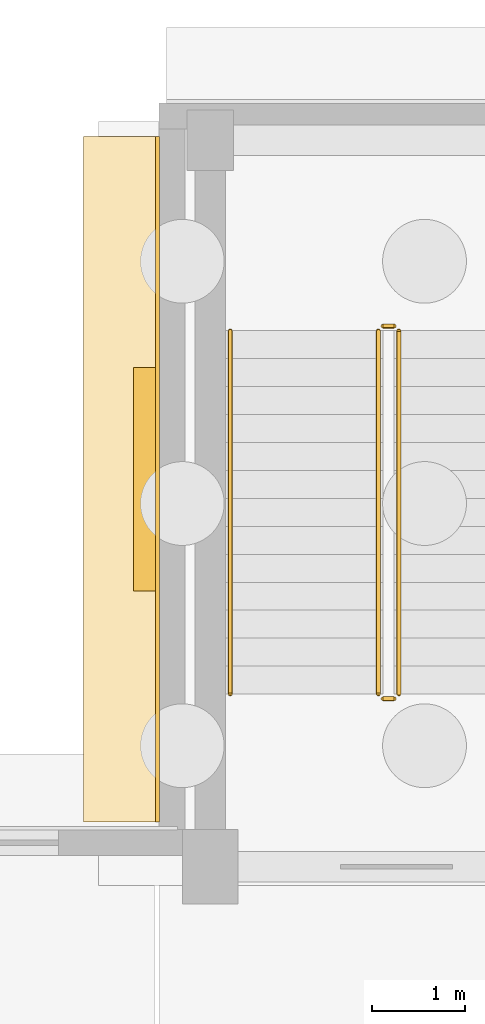
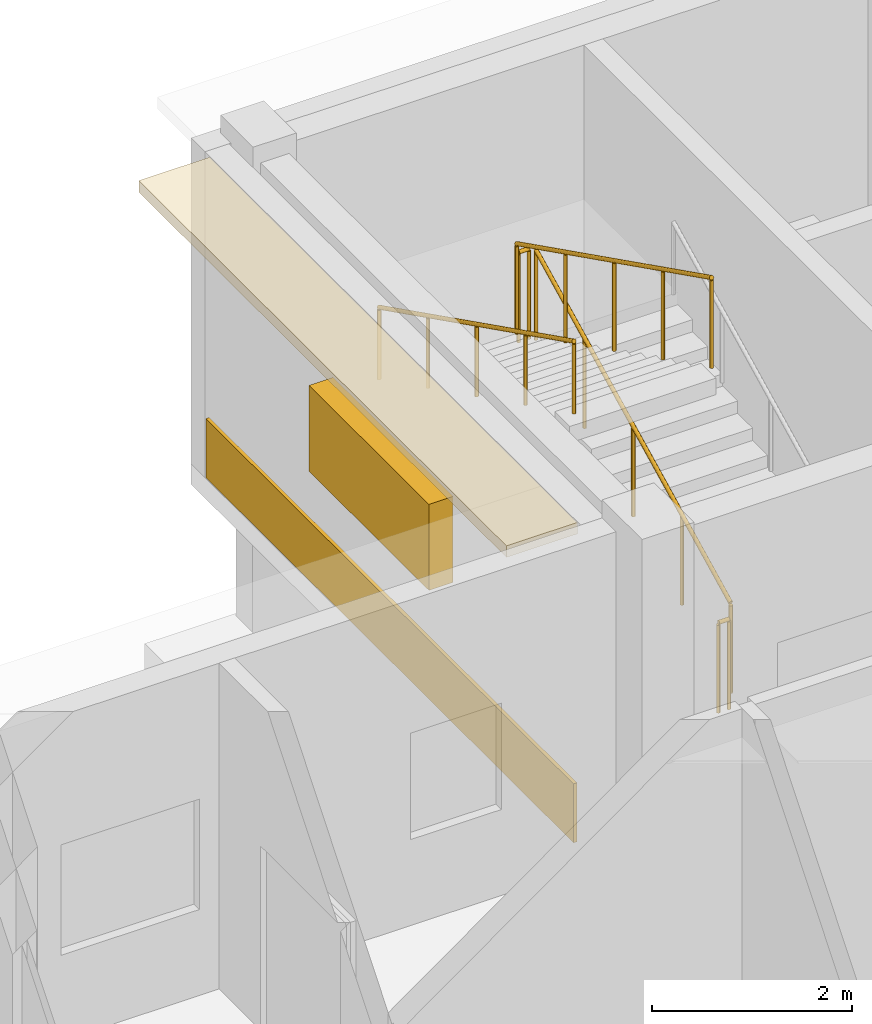
# One storey, part 89 of 93: 5 railings, 2 coverings, 1 shading device.
"""IFC4 building model written with IfcOpenShell, lengths in metres."""

from ifc_helpers import new_model, si_unit, direction, frame, origin, origin_2d, place, context, subcontext, project, spatial, rectangle, circle, extrude, material, layer, layer_set, type_object, element, save


model = new_model("IFC4")

# Units and contexts
model_context = context("Model", 3, precision=1e-05, world=origin(), true_north=direction((0.0, 1.0)))
body_context = subcontext(model_context, "Body", "Model", "MODEL_VIEW")
ifc_project = project(units=[si_unit("LENGTHUNIT", "METRE"), si_unit("AREAUNIT", "SQUARE_METRE"), si_unit("VOLUMEUNIT", "CUBIC_METRE"), si_unit("PLANEANGLEUNIT", "RADIAN"), si_unit("MASSUNIT", "GRAM", prefix="KILO")], contexts=[model_context])

# Site, building, storey
site_placement = place(None, origin())
site = spatial("IfcSite", under=ifc_project, at=site_placement, CompositionType="ELEMENT")
building_placement = place(site_placement, origin())
building = spatial("IfcBuilding", under=site, at=building_placement, Name="Kelanivale Promenade Academy", CompositionType="ELEMENT")
storey_placement = place(building_placement, origin())
storey = spatial("IfcBuildingStorey", under=building, at=storey_placement, Name="L00", CompositionType="ELEMENT", Elevation=0.0)

# Coverings
ifc_material_1 = material(Name="Warm ivory Art Deco stucco frieze band 40 mm", Category="masonry")
ifc_layer_1 = layer(ifc_material_1, 0.0400390625)
ifc_layer_set_1 = layer_set([ifc_layer_1], Name="Warm ivory Art Deco stucco frieze band 40 mm")
covering_type = type_object("IfcCoveringType", Name="COV-CLD2 Warm ivory Art Deco stucco frieze ba", PredefinedType="CLADDING", material=ifc_layer_set_1)
covering_1_placement = place(storey_placement, frame((122.449951171875, 107.9599609375, 3.81982421875), z_axis=(0.0, 0.0, 1.0), x_axis=(0.0, -1.0, 0.0)))
element("IfcCovering", 1, at=covering_1_placement, inside=storey, type_object=covering_type, Name="Art Deco projecting 820 mm streamline sunshade eyebrow ledge", PredefinedType="CLADDING", context=body_context, shape_type="SweptSolid", body=[
    extrude(rectangle(XDim=7.360107421875, YDim=0.820068359375, at=origin_2d()), origin(), (0.0, 0.0, 1.0), 0.139892578125),
])
covering_2_placement = place(storey_placement, frame((122.8349609375, 107.9599609375, 0.06005859375), z_axis=(0.0, 0.0, 1.0), x_axis=(0.0, -1.0, 0.0)))
element("IfcCovering", 2, at=covering_2_placement, inside=storey, type_object=covering_type, Name="Art Deco ivory stucco sill frieze band", PredefinedType="CLADDING", context=body_context, shape_type="SweptSolid", body=[
    extrude(rectangle(XDim=7.360107421875, YDim=0.0400390625, at=origin_2d()), origin(), (0.0, 0.0, 1.0), 0.719970703125),
])

# Railings
ifc_material_2 = material(Name="Brushed stainless steel grade 316", Category="steel")
railing_type_1 = type_object("IfcRailingType", Name="GR-01 Stair Guard 1100mm", PredefinedType="BALUSTRADE", material=ifc_material_2)
railing_1_placement = place(storey_placement, frame((125.425048828125, 105.655029296875, 0.14990234375)))
element("IfcRailing", 3, at=railing_1_placement, inside=storey, type_object=railing_type_1, Name="L00 ST-05 stair guard 1", PredefinedType="BALUSTRADE", context=body_context, shape_type="SweptSolid", body=[
    extrude(circle(Radius=0.02392578125, at=origin_2d()), frame((0.0, 0.0, 1.09619140625), z_axis=(0.0, 0.894404793364, 0.447258387967), x_axis=(-1.0, 0.0, 0.0)), (0.0, 0.0, 1.0), 4.3603515625),
    extrude(circle(Radius=0.02099609375, at=origin_2d()), origin(), (0.0, 0.0, 1.0), 1.072021484375),
    extrude(circle(Radius=0.02099609375, at=origin_2d()), frame((0.0, 0.97509765625, 0.487548828125)), (0.0, 0.0, 1.0), 1.072021484375),
    extrude(circle(Radius=0.02099609375, at=origin_2d()), frame((0.0, 1.949951171875, 0.97509765625)), (0.0, 0.0, 1.0), 1.072021484375),
    extrude(circle(Radius=0.02099609375, at=origin_2d()), frame((0.0, 2.9248046875, 1.462646484375)), (0.0, 0.0, 1.0), 1.072021484375),
    extrude(circle(Radius=0.02099609375, at=origin_2d()), frame((0.0, 3.89990234375, 1.9501953125)), (0.0, 0.0, 1.0), 1.072021484375),
])
railing_2_placement = place(storey_placement, frame((125.375, 109.60498046875, 2.10009765625)))
element("IfcRailing", 4, at=railing_2_placement, inside=storey, type_object=railing_type_1, Name="L00 ST-05 stair guard 2", PredefinedType="BALUSTRADE", context=body_context, shape_type="SweptSolid", body=[
    extrude(circle(Radius=0.02392578125, at=origin_2d()), frame((0.0, 0.0, 1.09619140625), z_axis=(-1.0, 0.0, 0.0), x_axis=(0.0, -1.0, 0.0)), (0.0, 0.0, 1.0), 0.1201171875),
    extrude(circle(Radius=0.02099609375, at=origin_2d()), origin(), (0.0, 0.0, 1.0), 1.072021484375),
    extrude(circle(Radius=0.02099609375, at=origin_2d()), frame((-0.1201171875, 0.0, 0.0)), (0.0, 0.0, 1.0), 1.072021484375),
])
railing_3_placement = place(storey_placement, frame((125.205078125, 109.554931640625, 2.25)))
element("IfcRailing", 5, at=railing_3_placement, inside=storey, type_object=railing_type_1, Name="L00 ST-05 stair guard 3", PredefinedType="BALUSTRADE", context=body_context, shape_type="SweptSolid", body=[
    extrude(circle(Radius=0.02392578125, at=origin_2d()), frame((0.0, 0.0, 1.09619140625), z_axis=(0.0, -0.894427191, 0.4472135955), x_axis=(1.0, 0.0, 0.0)), (0.0, 0.0, 1.0), 4.360107421875),
    extrude(circle(Radius=0.02099609375, at=origin_2d()), origin(), (0.0, 0.0, 1.0), 1.072021484375),
    extrude(circle(Radius=0.02099609375, at=origin_2d()), frame((0.0, -0.97509765625, 0.487548828125)), (0.0, 0.0, 1.0), 1.072021484375),
    extrude(circle(Radius=0.02099609375, at=origin_2d()), frame((0.0, -1.949951171875, 0.97509765625)), (0.0, 0.0, 1.0), 1.072021484375),
    extrude(circle(Radius=0.02099609375, at=origin_2d()), frame((0.0, -2.9248046875, 1.46240234375)), (0.0, 0.0, 1.0), 1.072021484375),
    extrude(circle(Radius=0.02099609375, at=origin_2d()), frame((0.0, -3.89990234375, 1.949951171875)), (0.0, 0.0, 1.0), 1.072021484375),
])
railing_4_placement = place(storey_placement, frame((125.375, 105.60498046875, 0.0)))
element("IfcRailing", 6, at=railing_4_placement, inside=storey, type_object=railing_type_1, Name="L00 ST-05 stair guard 4", PredefinedType="BALUSTRADE", context=body_context, shape_type="SweptSolid", body=[
    extrude(circle(Radius=0.02392578125, at=origin_2d()), frame((0.0, 0.0, 1.09619140625), z_axis=(-1.0, 0.0, 0.0), x_axis=(0.0, -1.0, 0.0)), (0.0, 0.0, 1.0), 0.1201171875),
    extrude(circle(Radius=0.02099609375, at=origin_2d()), origin(), (0.0, 0.0, 1.0), 1.072021484375),
    extrude(circle(Radius=0.02099609375, at=origin_2d()), frame((-0.1201171875, 0.0, 0.0)), (0.0, 0.0, 1.0), 1.072021484375),
])
railing_type_2 = type_object("IfcRailingType", Name="HR-01 Pitch Handrail 900mm", PredefinedType="HANDRAIL", material=ifc_material_2)
railing_5_placement = place(storey_placement, frame((123.614990234375, 109.554931640625, 2.25)))
element("IfcRailing", 7, at=railing_5_placement, inside=storey, type_object=railing_type_2, Name="L00 ST-05 stair handrail 2", PredefinedType="HANDRAIL", context=body_context, shape_type="SweptSolid", body=[
    extrude(circle(Radius=0.02392578125, at=origin_2d()), frame((0.0, 0.0, 0.8759765625), z_axis=(0.0, -0.894427191, 0.4472135955), x_axis=(1.0, 0.0, 0.0)), (0.0, 0.0, 1.0), 4.360107421875),
    extrude(circle(Radius=0.02099609375, at=origin_2d()), origin(), (0.0, 0.0, 1.0), 0.851806640625),
    extrude(circle(Radius=0.02099609375, at=origin_2d()), frame((0.0, -0.97509765625, 0.487548828125)), (0.0, 0.0, 1.0), 0.851806640625),
    extrude(circle(Radius=0.02099609375, at=origin_2d()), frame((0.0, -1.949951171875, 0.97509765625)), (0.0, 0.0, 1.0), 0.851806640625),
    extrude(circle(Radius=0.02099609375, at=origin_2d()), frame((0.0, -2.9248046875, 1.46240234375)), (0.0, 0.0, 1.0), 0.851806640625),
    extrude(circle(Radius=0.02099609375, at=origin_2d()), frame((0.0, -3.89990234375, 1.949951171875)), (0.0, 0.0, 1.0), 0.851806640625),
])

# Shading device
ifc_material_3 = material(Name="Bronze anodised aluminium EN AW-6063 T6", Category="aluminium")
ifc_layer_2 = layer(ifc_material_3, 0.080078125)
ifc_layer_set_2 = layer_set([ifc_layer_2], Name="Bronze anodised aluminium EN AW-6063 T6")
shading_device_type = type_object("IfcShadingDeviceType", Name="SHD-02 Perforated Brise-Soleil Screen", PredefinedType="JALOUSIE", material=ifc_layer_set_2)
shading_device_placement = place(storey_placement, frame((122.715087890625, 107.9599609375, 1.72509765625), z_axis=(0.0, 0.0, 1.0), x_axis=(0.0, -1.0, 0.0)))
element("IfcShadingDevice", 8, at=shading_device_placement, inside=storey, type_object=shading_device_type, Name="Perforated Art Deco brise-soleil louvre screen", PredefinedType="JALOUSIE", context=body_context, shape_type="SweptSolid", body=[
    extrude(rectangle(XDim=2.39990234375, YDim=0.280029296875, at=origin_2d()), origin(), (0.0, 0.0, 1.0), 1.050048828125),
])

save(model, "model.ifc")
